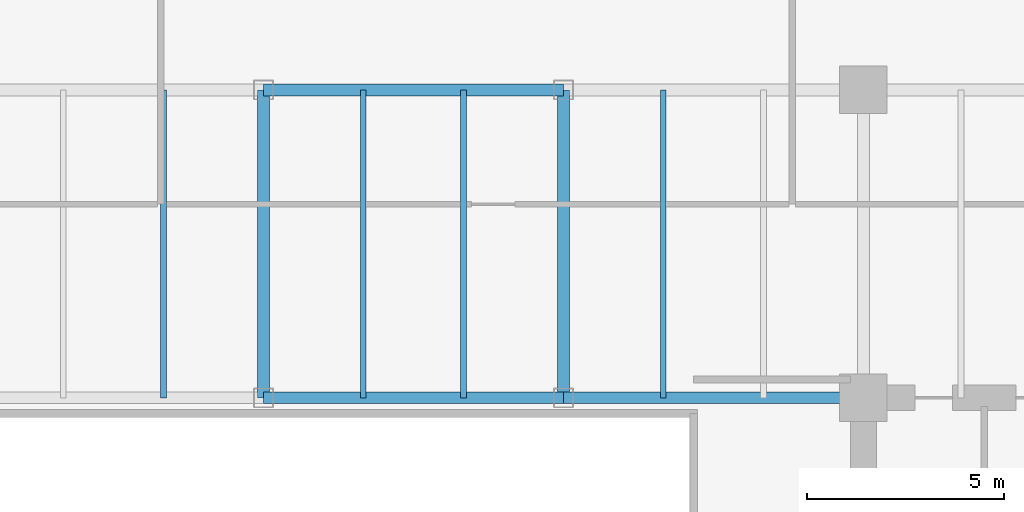
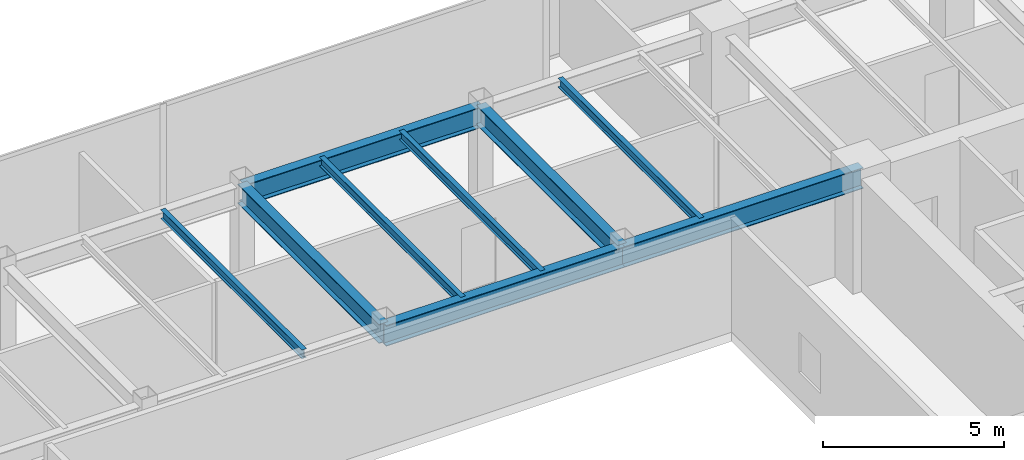
# One storey, part 17 of 30: 9 beams.
"""IFC4 building model written with IfcOpenShell, lengths in metres."""

from ifc_helpers import new_model, si_unit, direction, frame, origin, origin_2d, place, context, subcontext, project, spatial, i_section, extrude, source, transform, mapped, material, material_profile, profile_set, type_object, type_shapes, element, save


model = new_model("IFC4")

# Units and contexts
model_context = context("Model", 3, precision=1e-05, world=origin(), true_north=direction((0.0, 1.0)))
body_context = subcontext(model_context, "Body", "Model", "MODEL_VIEW")
ifc_project = project(units=[si_unit("LENGTHUNIT", "METRE"), si_unit("AREAUNIT", "SQUARE_METRE"), si_unit("VOLUMEUNIT", "CUBIC_METRE"), si_unit("PLANEANGLEUNIT", "RADIAN"), si_unit("MASSUNIT", "GRAM", prefix="KILO")], contexts=[model_context])

# Site, building, storey
site_placement = place(None, origin())
site = spatial("IfcSite", under=ifc_project, at=site_placement, CompositionType="ELEMENT")
building_placement = place(site_placement, origin())
building = spatial("IfcBuilding", under=site, at=building_placement, Name="Haelvirn Gate Laboratories", CompositionType="ELEMENT")
storey_placement = place(building_placement, frame((0.0, 0.0, 121.5)))
storey = spatial("IfcBuildingStorey", under=building, at=storey_placement, Name="L29", CompositionType="ELEMENT", Elevation=121.5)

# Beams
ifc_material = material(Name="Steel SM355", Category="steel")
ifc_material_profile_1 = material_profile(ifc_material, i_section(OverallWidth=0.300048828125, OverallDepth=0.64990234375, WebThickness=0.012939453125, FlangeThickness=0.02197265625, at=origin_2d()), Name="H-650x300x13x22")
ifc_profile_set_1 = profile_set([ifc_material_profile_1], Name="Steel SM355")
beam_type_1 = type_object("IfcBeamType", Name="BM-G-650", PredefinedType="BEAM", material=ifc_profile_set_1)
shared_shape_1 = source(origin(), body_context, "Body", "SweptSolid", [
    extrude(i_section(OverallWidth=0.300048828125, OverallDepth=0.64990234375, WebThickness=0.012939453125, FlangeThickness=0.02197265625, at=origin_2d()), origin(), (0.0, 0.0, 1.0), 7.800048828125),
])
type_shapes(beam_type_1, [shared_shape_1])
for number, where, z_axis, x_axis, name in (
    (1, (37.39990234375, 33.800048828125, 3.465087890625), (0.0, 1.0, 0.0), (-1.0, 0.0, 0.0), "L29 Frame Girder X37.4 (33.8-41.6)"),
    (2, (45.0, 33.800048828125, 3.465087890625), (0.0, 1.0, 0.0), (-1.0, 0.0, 0.0), "L29 Frame Girder X45.0 (33.8-41.6)"),
):
    element("IfcBeam", number, at=place(storey_placement, frame(where, z_axis=z_axis, x_axis=x_axis)), inside=storey, type_object=beam_type_1, Name=name, PredefinedType="BEAM", context=body_context, shape_type="MappedRepresentation", body=[
        mapped(shared_shape_1, transform((0.0, 0.0, 0.0), scale=1.0)),
    ])
ifc_material_profile_2 = material_profile(ifc_material, i_section(OverallWidth=0.300048828125, OverallDepth=0.699951171875, WebThickness=0.012939453125, FlangeThickness=0.02392578125, at=origin_2d()), Name="H-700x300x13x24")
ifc_profile_set_2 = profile_set([ifc_material_profile_2], Name="Steel SM355")
beam_type_2 = type_object("IfcBeamType", Name="BM-G-700", PredefinedType="BEAM", material=ifc_profile_set_2)
shared_shape_2 = source(origin(), body_context, "Body", "SweptSolid", [
    extrude(i_section(OverallWidth=0.300048828125, OverallDepth=0.699951171875, WebThickness=0.012939453125, FlangeThickness=0.02392578125, at=origin_2d()), origin(), (0.0, 0.0, 1.0), 7.60009765625),
])
type_shapes(beam_type_2, [shared_shape_2])
for number, where, z_axis, x_axis, name in (
    (3, (37.39990234375, 33.800048828125, 3.43994140625), (1.0, 0.0, 0.0), (0.0, 1.0, 0.0), "L29 Primary Girder Y33.8 (37.4-45.0)"),
    (4, (45.0, 33.800048828125, 3.43994140625), (1.0, 0.0, 0.0), (0.0, 1.0, 0.0), "L29 Primary Girder Y33.8 (45.0-52.6)"),
    (5, (37.39990234375, 41.60009765625, 3.43994140625), (1.0, 0.0, 0.0), (0.0, 1.0, 0.0), "L29 Primary Girder Y41.6 (37.4-45.0)"),
):
    element("IfcBeam", number, at=place(storey_placement, frame(where, z_axis=z_axis, x_axis=x_axis)), inside=storey, type_object=beam_type_2, Name=name, PredefinedType="BEAM", context=body_context, shape_type="MappedRepresentation", body=[
        mapped(shared_shape_2, transform((0.0, 0.0, 0.0), scale=1.0)),
    ])
ifc_material_profile_3 = material_profile(ifc_material, i_section(OverallWidth=0.14990234375, OverallDepth=0.300048828125, WebThickness=0.006591796875, FlangeThickness=0.009033203125, at=origin_2d()), Name="H-300x150x6.5x9")
ifc_profile_set_3 = profile_set([ifc_material_profile_3], Name="Steel SM355")
beam_type_3 = type_object("IfcBeamType", Name="BM-J-300", PredefinedType="JOIST", material=ifc_profile_set_3)
shared_shape_3 = source(origin(), body_context, "Body", "SweptSolid", [
    extrude(i_section(OverallWidth=0.14990234375, OverallDepth=0.300048828125, WebThickness=0.006591796875, FlangeThickness=0.009033203125, at=origin_2d()), origin(), (0.0, 0.0, 1.0), 7.800048828125),
])
type_shapes(beam_type_3, [shared_shape_3])
for number, where, z_axis, x_axis, name in (
    (6, (34.8701171875, 33.800048828125, 3.639892578125), (0.0, 1.0, 0.0), (-1.0, 0.0, 0.0), "L29 Composite Lab Joist North X34.87"),
    (7, (39.929931640625, 33.800048828125, 3.639892578125), (0.0, 1.0, 0.0), (-1.0, 0.0, 0.0), "L29 Composite Lab Joist North X39.93"),
    (8, (42.469970703125, 33.800048828125, 3.639892578125), (0.0, 1.0, 0.0), (-1.0, 0.0, 0.0), "L29 Composite Lab Joist North X42.47"),
    (9, (47.530029296875, 33.800048828125, 3.639892578125), (0.0, 1.0, 0.0), (-1.0, 0.0, 0.0), "L29 Composite Lab Joist North X47.53"),
):
    element("IfcBeam", number, at=place(storey_placement, frame(where, z_axis=z_axis, x_axis=x_axis)), inside=storey, type_object=beam_type_3, Name=name, PredefinedType="JOIST", context=body_context, shape_type="MappedRepresentation", body=[
        mapped(shared_shape_3, transform((0.0, 0.0, 0.0), scale=1.0)),
    ])

save(model, "model.ifc")
